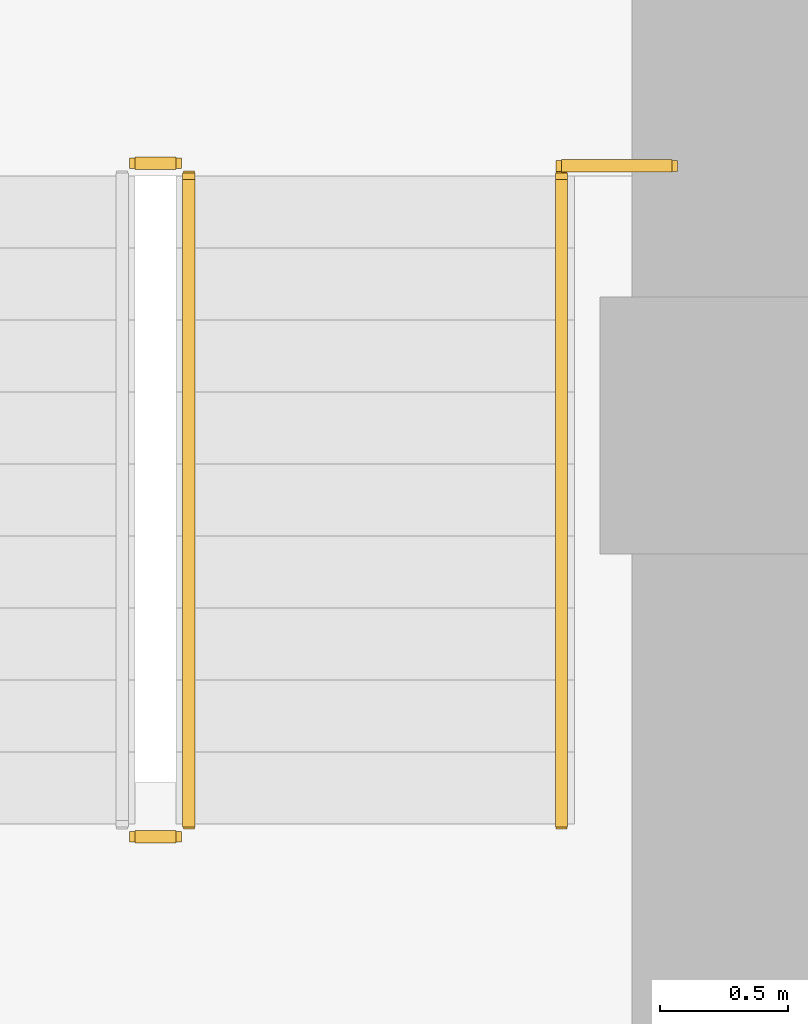
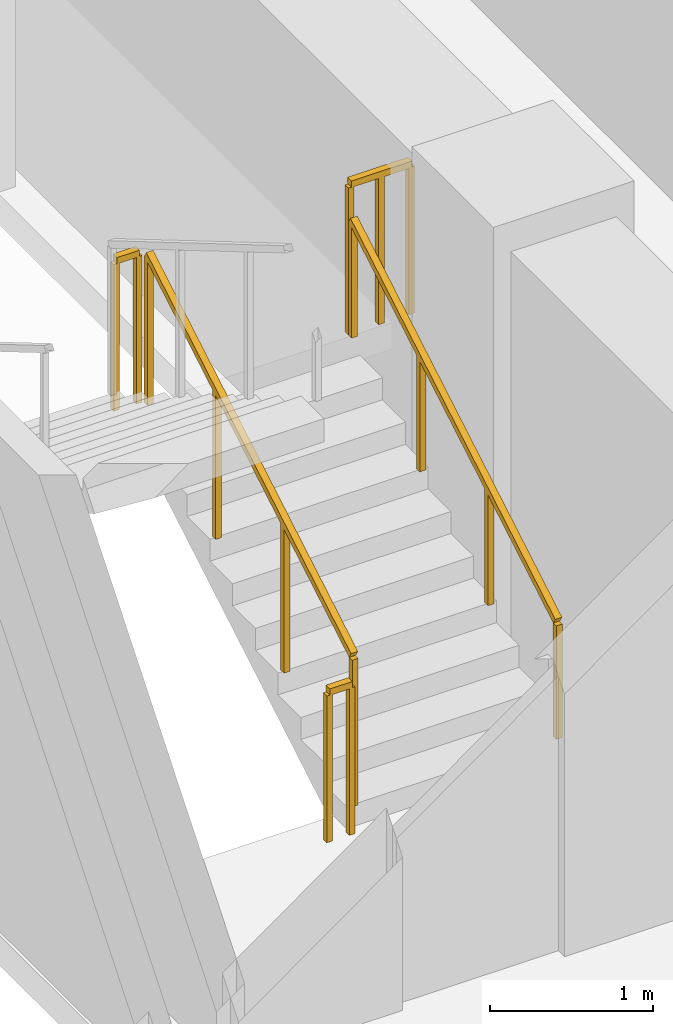
# One storey, part 27 of 28: 5 railings.
"""IFC4 building model written with IfcOpenShell, lengths in metres."""

import ifcopenshell
import ifcopenshell.guid

model = None  # the IFC model being written
_history = None  # IfcOwnerHistory: only IFC2X3 demands one
_inside = {}  # id of a spatial element -> (the spatial element, [elements in it])
_under = {}  # id of a project, library or spatial element -> (it, [spatial elements below it])
_declared = {}  # id of a project -> (the project, [libraries it declares])
_typed = {}  # id of a type object -> (the type object, [elements of that type])
_made_of = {}  # id of a material, layer set ... -> (it, [elements and type objects made of it])


def new_model(schema):
    """Start an empty IFC model of exactly this schema.

    Asked for "IFC4X3", IfcOpenShell would pick the latest addendum, in which some entities
    have other attributes; the version numbers below select the first issue.
    IFC2X3 requires an IfcOwnerHistory on every rooted entity: one is made here for all.
    """
    global model, _history
    if schema == "IFC4X3":
        model = ifcopenshell.file(schema_version=(4, 3, 0, 0))
    else:
        model = ifcopenshell.file(schema=schema)
    _inside.clear()
    _under.clear()
    _declared.clear()
    _typed.clear()
    _made_of.clear()
    _history = None
    if model.schema == "IFC2X3":
        org = make("IfcOrganization", Name="unknown")
        user = make(
            "IfcPersonAndOrganization",
            ThePerson=make("IfcPerson", FamilyName="unknown"),
            TheOrganization=org,
        )
        app = make(
            "IfcApplication",
            ApplicationDeveloper=org,
            Version="unknown",
            ApplicationFullName="unknown",
            ApplicationIdentifier="unknown",
        )
        _history = make(
            "IfcOwnerHistory",
            OwningUser=user,
            OwningApplication=app,
            ChangeAction="ADDED",
            CreationDate=0,
        )
    return model


def make(cls, **values):
    """One entity of the class cls with the attributes given. An attribute that is None is left unset."""
    return model.create_entity(
        cls, **{name: value for name, value in values.items() if value is not None}
    )


def rooted(cls, **values):
    """An entity with a GlobalId (a new one), such as an element, a storey or a relation."""
    return make(cls, GlobalId=ifcopenshell.guid.new(), OwnerHistory=_history, **values)


def si_unit(unit_type, name, prefix=None):
    """IfcSIUnit, for example si_unit("LENGTHUNIT", "METRE", prefix="MILLI")."""
    return make("IfcSIUnit", UnitType=unit_type, Prefix=prefix, Name=name)


def assignment(units):
    """IfcUnitAssignment: the units of a project."""
    return None if units is None else make("IfcUnitAssignment", Units=units)


def point(xyz):
    """IfcCartesianPoint."""
    return None if xyz is None else make("IfcCartesianPoint", Coordinates=xyz)


def direction(xyz):
    """IfcDirection."""
    return None if xyz is None else make("IfcDirection", DirectionRatios=xyz)


def frame(location, z_axis=None, x_axis=None):
    """IfcAxis2Placement3D, a coordinate frame: its origin and axes. An axis left out is left unset."""
    return make(
        "IfcAxis2Placement3D",
        Location=point(location),
        Axis=direction(z_axis),
        RefDirection=direction(x_axis),
    )


def frame_2d(location, x_axis=None):
    """IfcAxis2Placement2D, a coordinate frame in the plane: its origin and x axis."""
    return make(
        "IfcAxis2Placement2D", Location=point(location), RefDirection=direction(x_axis)
    )


def origin():
    """The frame at (0, 0, 0) with its axes left unset."""
    return frame((0.0, 0.0, 0.0))


def origin_2d():
    """The frame at (0, 0) in the plane with its x axis left unset."""
    return frame_2d((0.0, 0.0))


def place(relative_to, where):
    """IfcLocalPlacement: puts the frame where relative to a parent placement (None: the world)."""
    return make(
        "IfcLocalPlacement", PlacementRelTo=relative_to, RelativePlacement=where
    )


def context(
    kind, dimensions, precision=None, world=None, true_north=None, identifier=None
):
    """IfcGeometricRepresentationContext, for example the 3D "Model" context."""
    return make(
        "IfcGeometricRepresentationContext",
        ContextIdentifier=identifier,
        ContextType=kind,
        CoordinateSpaceDimension=dimensions,
        Precision=precision,
        WorldCoordinateSystem=world,
        TrueNorth=true_north,
    )


def subcontext(parent, identifier, kind, view, scale=None):
    """IfcGeometricRepresentationSubContext, for example "Body" below "Model"."""
    return make(
        "IfcGeometricRepresentationSubContext",
        ContextIdentifier=identifier,
        ContextType=kind,
        ParentContext=parent,
        TargetScale=scale,
        TargetView=view,
    )


def project(units=None, contexts=None):
    """IfcProject with its units and contexts."""
    return rooted(
        "IfcProject",
        Name="project",
        RepresentationContexts=contexts,
        UnitsInContext=assignment(units),
    )


def spatial(cls, under=None, at=None, **own):
    """A site, building, storey or space (cls), placed at a placement, below another one or the project."""
    s = rooted(cls, ObjectPlacement=at, **own)
    if under is not None:
        _under.setdefault(under.id(), (under, []))[1].append(s)
    return s


def profile(cls, at=None, kind="AREA", **sizes):
    """A parametric profile (cls). Its sizes go by their IFC names, for example OverallWidth=200.0."""
    return make(cls, ProfileType=kind, Position=at, **sizes)


def rectangle(**sizes):
    """IfcRectangleProfileDef."""
    return profile("IfcRectangleProfileDef", **sizes)


def extrude(swept, where, along, depth):
    """IfcExtrudedAreaSolid: the profile swept, set in the frame where, extruded along a direction by depth."""
    return make(
        "IfcExtrudedAreaSolid",
        SweptArea=swept,
        Position=where,
        ExtrudedDirection=direction(along),
        Depth=depth,
    )


def shape(context_of_items, identifier, shape_type, items):
    """IfcShapeRepresentation: the items that make up one representation, for example the "Body"."""
    return make(
        "IfcShapeRepresentation",
        ContextOfItems=context_of_items,
        RepresentationIdentifier=identifier,
        RepresentationType=shape_type,
        Items=items,
    )


def material(Name=None, Category=None):
    """IfcMaterial."""
    return make("IfcMaterial", Name=Name, Category=Category)


def made_of(thing, what):
    """Note that an element or type object is made of a material, layer set ...; save() writes the relation."""
    if what is not None:
        _made_of.setdefault(what.id(), (what, []))[1].append(thing)
    return thing


def type_object(cls, material=None, **own):
    """A type object (cls), such as IfcWallType, which elements share."""
    return made_of(rooted(cls, **own), material)


def element(
    cls,
    number,
    at=None,
    inside=None,
    cuts=None,
    type_object=None,
    material=None,
    context=None,
    identifier="Body",
    shape_type=None,
    held_by="IfcProductDefinitionShape",
    body=None,
    shapes=None,
    **own,
):
    """One element of the class cls, such as IfcWall. Its Tag is "e" and its number.

    at: its placement. inside: the storey or other place that contains it. cuts: it is an
    opening in that element (IfcRelVoidsElement). A single representation is given by context,
    identifier, shape_type and body (its items); several are given by shapes. held_by: the class
    of the entity that holds the representations. save() writes the other relations.
    """
    e = rooted(cls, Tag="e%d" % number, ObjectPlacement=at, **own)
    if body is not None:
        shapes = [shape(context, identifier, shape_type, body)]
    if shapes is not None:
        e.Representation = make(held_by, Representations=shapes)
    if inside is not None:
        _inside.setdefault(inside.id(), (inside, []))[1].append(e)
    if cuts is not None:
        rooted(
            "IfcRelVoidsElement", RelatingBuildingElement=cuts, RelatedOpeningElement=e
        )
    if type_object is not None:
        _typed.setdefault(type_object.id(), (type_object, []))[1].append(e)
    return made_of(e, material)


def aggregate(whole, parts):
    """IfcRelAggregates: a whole, such as a stair, and the parts it consists of."""
    return rooted("IfcRelAggregates", RelatingObject=whole, RelatedObjects=parts)


def save(model, path):
    """Write the relations noted so far, then the file.

    IfcRelAggregates (storeys below a building ...), IfcRelContainedInSpatialStructure (elements
    in a storey), IfcRelDefinesByType, IfcRelAssociatesMaterial and IfcRelDeclares: one each for
    every whole, place, type object, material and project.
    """
    for whole, parts in _under.values():
        aggregate(whole, parts)
    for where, things in _inside.values():
        rooted(
            "IfcRelContainedInSpatialStructure",
            RelatedElements=things,
            RelatingStructure=where,
        )
    for kind, things in _typed.values():
        rooted("IfcRelDefinesByType", RelatedObjects=things, RelatingType=kind)
    for what, things in _made_of.values():
        rooted("IfcRelAssociatesMaterial", RelatedObjects=things, RelatingMaterial=what)
    for by, libraries in _declared.values():
        rooted("IfcRelDeclares", RelatingContext=by, RelatedDefinitions=libraries)
    model.write(path)


model = new_model("IFC4")

# Units and contexts
model_context = context("Model", 3, precision=1e-05, world=origin(), true_north=direction((0.0, 1.0)))
body_context = subcontext(model_context, "Body", "Model", "MODEL_VIEW")
ifc_project = project(units=[si_unit("LENGTHUNIT", "METRE"), si_unit("AREAUNIT", "SQUARE_METRE"), si_unit("VOLUMEUNIT", "CUBIC_METRE"), si_unit("PLANEANGLEUNIT", "RADIAN"), si_unit("MASSUNIT", "GRAM", prefix="KILO")], contexts=[model_context])

# Site, building, storey
site_placement = place(None, origin())
site = spatial("IfcSite", under=ifc_project, at=site_placement, CompositionType="ELEMENT")
building_placement = place(site_placement, origin())
building = spatial("IfcBuilding", under=site, at=building_placement, Name="Zarnakvel Exchange Tower", CompositionType="ELEMENT")
storey_placement = place(building_placement, frame((0.0, 0.0, 109.89990234375)))
storey = spatial("IfcBuildingStorey", under=building, at=storey_placement, Name="L30", CompositionType="ELEMENT", Elevation=109.89990234375)

# Railings
ifc_material_1 = material(Name="Brushed Stainless Steel", Category="steel")
railing_type_1 = type_object("IfcRailingType", Name="HR-01", PredefinedType="HANDRAIL", material=ifc_material_1)
railing_1_placement = place(storey_placement, frame((13.75, 5.050048828125, 0.1650390625)))
element("IfcRailing", 1, at=railing_1_placement, inside=storey, type_object=railing_type_1, Name="L30 ST-02 stair handrail 1", PredefinedType="HANDRAIL", context=body_context, shape_type="SweptSolid", body=[
    extrude(rectangle(XDim=0.048095703125, YDim=0.048095703125, at=origin_2d()), frame((0.0, 0.0, 0.8759765625), z_axis=(0.0, 0.86152411907, 0.507716645641), x_axis=(-1.0, 0.0, 0.0)), (0.0, 0.0, 1.0), 2.925048828125),
    extrude(rectangle(XDim=0.0419921875, YDim=0.0419921875, at=origin_2d()), origin(), (0.0, 0.0, 1.0), 0.851806640625),
    extrude(rectangle(XDim=0.0419921875, YDim=0.0419921875, at=origin_2d()), frame((0.0, 0.840087890625, 0.4951171875)), (0.0, 0.0, 1.0), 0.851806640625),
    extrude(rectangle(XDim=0.0419921875, YDim=0.0419921875, at=origin_2d()), frame((0.0, 1.679931640625, 0.989990234375)), (0.0, 0.0, 1.0), 0.851806640625),
    extrude(rectangle(XDim=0.0419921875, YDim=0.0419921875, at=origin_2d()), frame((0.0, 2.52001953125, 1.485107421875)), (0.0, 0.0, 1.0), 0.851806640625),
])
ifc_material_2 = material(Name="Architectural Bronze Anodised Aluminium", Category="aluminium")
railing_type_2 = type_object("IfcRailingType", Name="SG-01", PredefinedType="GUARDRAIL", material=ifc_material_2)
railing_2_placement = place(storey_placement, frame((12.300048828125, 5.050048828125, 0.1650390625)))
element("IfcRailing", 2, at=railing_2_placement, inside=storey, type_object=railing_type_2, Name="L30 ST-02 stair guard 1", PredefinedType="GUARDRAIL", context=body_context, shape_type="SweptSolid", body=[
    extrude(rectangle(XDim=0.048095703125, YDim=0.048095703125, at=origin_2d()), frame((0.0, 0.0, 1.1259765625), z_axis=(0.0, 0.86152411907, 0.507716645641), x_axis=(-1.0, 0.0, 0.0)), (0.0, 0.0, 1.0), 2.925048828125),
    extrude(rectangle(XDim=0.0419921875, YDim=0.0419921875, at=origin_2d()), origin(), (0.0, 0.0, 1.0), 1.101806640625),
    extrude(rectangle(XDim=0.0419921875, YDim=0.0419921875, at=origin_2d()), frame((0.0, 0.840087890625, 0.4951171875)), (0.0, 0.0, 1.0), 1.101806640625),
    extrude(rectangle(XDim=0.0419921875, YDim=0.0419921875, at=origin_2d()), frame((0.0, 1.679931640625, 0.989990234375)), (0.0, 0.0, 1.0), 1.101806640625),
    extrude(rectangle(XDim=0.0419921875, YDim=0.0419921875, at=origin_2d()), frame((0.0, 2.52001953125, 1.485107421875)), (0.0, 0.0, 1.0), 1.101806640625),
])
for number, where, name in (
    (3, (12.25, 7.6201171875, 1.650146484375), "L30 ST-02 stair guard 2"),
    (4, (12.25, 5.0, 0.0), "L30 ST-02 stair guard 4"),
):
    element("IfcRailing", number, at=place(storey_placement, frame(where)), inside=storey, type_object=railing_type_2, Name=name, PredefinedType="GUARDRAIL", context=body_context, shape_type="SweptSolid", body=[
        extrude(rectangle(XDim=0.048095703125, YDim=0.048095703125, at=origin_2d()), frame((0.0, 0.0, 1.1259765625), z_axis=(-1.0, 0.0, 0.0), x_axis=(0.0, -1.0, 0.0)), (0.0, 0.0, 1.0), 0.159912109375),
        extrude(rectangle(XDim=0.0419921875, YDim=0.0419921875, at=origin_2d()), origin(), (0.0, 0.0, 1.0), 1.101806640625),
        extrude(rectangle(XDim=0.0419921875, YDim=0.0419921875, at=origin_2d()), frame((-0.159912109375, 0.0, 0.0)), (0.0, 0.0, 1.0), 1.101806640625),
    ])
railing_3_placement = place(storey_placement, frame((13.75, 7.610107421875, 1.650146484375)))
element("IfcRailing", 5, at=railing_3_placement, inside=storey, type_object=railing_type_2, Name="L30 ST-02 Landing Slot Guardrail", PredefinedType="GUARDRAIL", context=body_context, shape_type="SweptSolid", body=[
    extrude(rectangle(XDim=0.048095703125, YDim=0.048095703125, at=origin_2d()), frame((0.0, 0.0, 1.1259765625), z_axis=(1.0, 0.0, 0.0), x_axis=(0.0, 1.0, 0.0)), (0.0, 0.0, 1.0), 0.429931640625),
    extrude(rectangle(XDim=0.0419921875, YDim=0.0419921875, at=origin_2d()), origin(), (0.0, 0.0, 1.0), 1.101806640625),
    extrude(rectangle(XDim=0.0419921875, YDim=0.0419921875, at=origin_2d()), frame((0.21484375, 0.0, 0.0)), (0.0, 0.0, 1.0), 1.101806640625),
    extrude(rectangle(XDim=0.0419921875, YDim=0.0419921875, at=origin_2d()), frame((0.429931640625, 0.0, 0.0)), (0.0, 0.0, 1.0), 1.101806640625),
])

save(model, "model.ifc")
